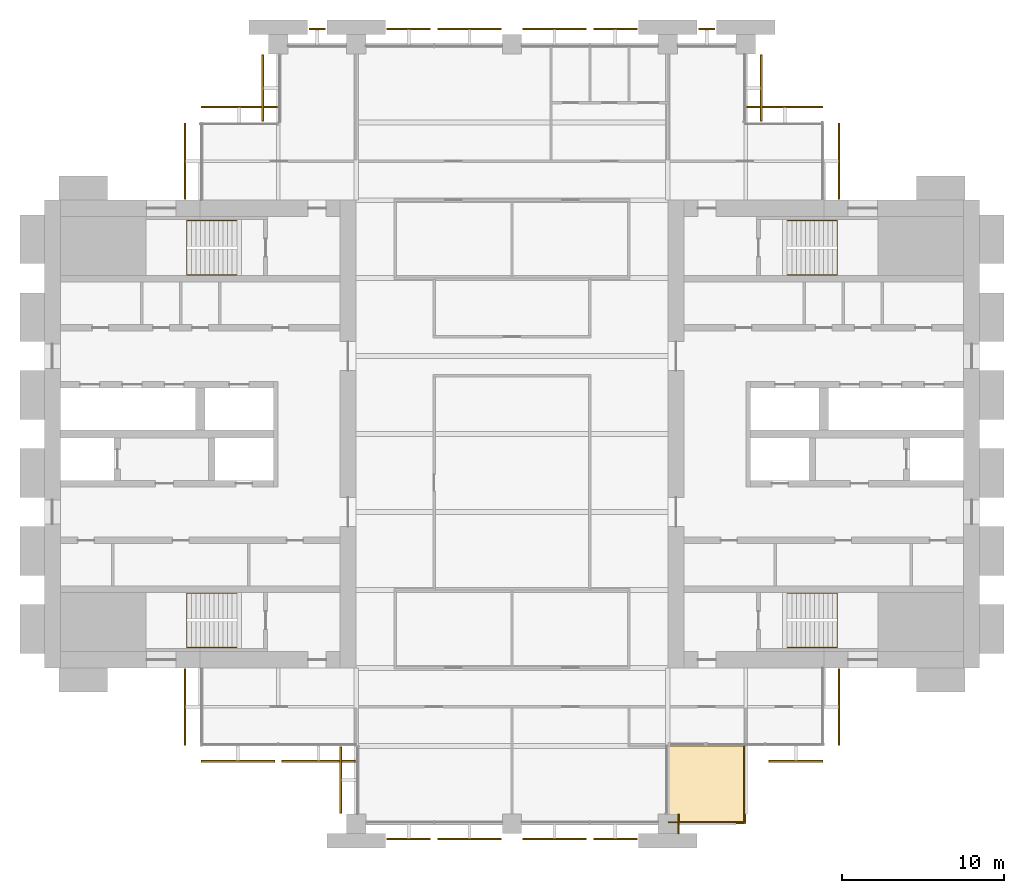
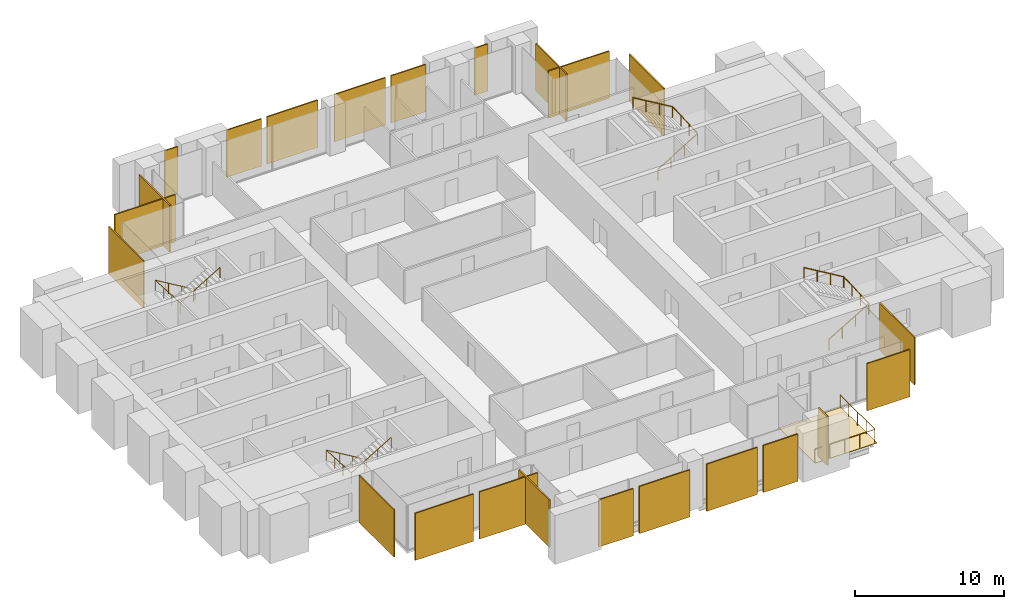
# One storey, part 13 of 13: 24 coverings, 5 railings.
"""IFC4 building model written with IfcOpenShell, lengths in metres."""

from ifc_helpers import new_model, si_unit, direction, frame, origin, origin_2d, place, context, subcontext, project, spatial, polyline, rectangle, circle, outline, extrude, material, layer, layer_set, type_object, element, save


model = new_model("IFC4")

# Units and contexts
model_context = context("Model", 3, precision=1e-05, world=origin(), true_north=direction((0.0, 1.0)))
body_context = subcontext(model_context, "Body", "Model", "MODEL_VIEW")
ifc_project = project(units=[si_unit("LENGTHUNIT", "METRE"), si_unit("AREAUNIT", "SQUARE_METRE"), si_unit("VOLUMEUNIT", "CUBIC_METRE"), si_unit("PLANEANGLEUNIT", "RADIAN"), si_unit("MASSUNIT", "GRAM", prefix="KILO")], contexts=[model_context])

# Site, building, storey
site_placement = place(None, origin())
site = spatial("IfcSite", under=ifc_project, at=site_placement, CompositionType="ELEMENT")
building_placement = place(site_placement, origin())
building = spatial("IfcBuilding", under=site, at=building_placement, Name="Baori Bourse Tower", CompositionType="ELEMENT")
storey_placement = place(building_placement, frame((0.0, 0.0, 172.10009765625)))
storey = spatial("IfcBuildingStorey", under=building, at=storey_placement, Name="L38", CompositionType="ELEMENT", Elevation=172.10009765625)

# Railings
ifc_material_1 = material(Name="Powder-coated steel balustrade", Category="steel")
railing_type_1 = type_object("IfcRailingType", Name="Core stair handrail", PredefinedType="HANDRAIL", material=ifc_material_1)
railing_1_placement = place(storey_placement, frame((11.85009765625, 14.199951171875, 0.16650390625)))
element("IfcRailing", 1, at=railing_1_placement, inside=storey, type_object=railing_type_1, Name="L38 ST1 stair handrail 1", PredefinedType="HANDRAIL", context=body_context, shape_type="SweptSolid", body=[
    extrude(circle(Radius=0.02392578125, at=origin_2d()), frame((0.0, 0.0, 0.8759765625), z_axis=(-0.85927862911, 0.0, 0.511507807912), x_axis=(0.0, -1.0, 0.0)), (0.0, 0.0, 1.0), 3.58447265625),
    extrude(circle(Radius=0.02392578125, at=origin_2d()), frame((-3.080078125, 0.0, 2.70947265625), z_axis=(0.0, -0.998766999029, 0.049643545903), x_axis=(1.0, 0.0, 0.0)), (0.0, 0.0, 1.0), 3.35400390625),
    extrude(circle(Radius=0.02392578125, at=origin_2d()), frame((-3.080078125, -3.349853515625, 2.8759765625), z_axis=(0.85927862911, 0.0, 0.511507807912), x_axis=(0.0, 1.0, 0.0)), (0.0, 0.0, 1.0), 3.58447265625),
    extrude(circle(Radius=0.02099609375, at=origin_2d()), origin(), (0.0, 0.0, 1.0), 0.851806640625),
    extrude(circle(Radius=0.02099609375, at=origin_2d()), frame((-1.026611328125, 0.0, 0.611083984375)), (0.0, 0.0, 1.0), 0.851806640625),
    extrude(circle(Radius=0.02099609375, at=origin_2d()), frame((-2.053466796875, 0.0, 1.222412109375)), (0.0, 0.0, 1.0), 0.851806640625),
    extrude(circle(Radius=0.02099609375, at=origin_2d()), frame((-3.080078125, 0.0, 1.83349609375)), (0.0, 0.0, 1.0), 0.851806640625),
    extrude(circle(Radius=0.02099609375, at=origin_2d()), frame((-3.080078125, -1.11669921875, 1.888916015625)), (0.0, 0.0, 1.0), 0.851806640625),
    extrude(circle(Radius=0.02099609375, at=origin_2d()), frame((-3.080078125, -2.233154296875, 1.944580078125)), (0.0, 0.0, 1.0), 0.851806640625),
    extrude(circle(Radius=0.02099609375, at=origin_2d()), frame((-3.080078125, -3.349853515625, 2.0)), (0.0, 0.0, 1.0), 0.851806640625),
    extrude(circle(Radius=0.02099609375, at=origin_2d()), frame((-2.053466796875, -3.349853515625, 2.611083984375)), (0.0, 0.0, 1.0), 0.851806640625),
    extrude(circle(Radius=0.02099609375, at=origin_2d()), frame((-1.026611328125, -3.349853515625, 3.222412109375)), (0.0, 0.0, 1.0), 0.851806640625),
    extrude(circle(Radius=0.02099609375, at=origin_2d()), frame((0.0, -3.349853515625, 3.83349609375)), (0.0, 0.0, 1.0), 0.851806640625),
])
railing_2_placement = place(storey_placement, frame((11.85009765625, 37.14990234375, 0.16650390625)))
element("IfcRailing", 2, at=railing_2_placement, inside=storey, type_object=railing_type_1, Name="L38 ST2 stair handrail 1", PredefinedType="HANDRAIL", context=body_context, shape_type="SweptSolid", body=[
    extrude(circle(Radius=0.02392578125, at=origin_2d()), frame((0.0, 0.0, 0.8759765625), z_axis=(-0.85927862911, 0.0, 0.511507807912), x_axis=(0.0, -1.0, 0.0)), (0.0, 0.0, 1.0), 3.58447265625),
    extrude(circle(Radius=0.02392578125, at=origin_2d()), frame((-3.080078125, 0.0, 2.70947265625), z_axis=(0.0, -0.998766999029, 0.049643545903), x_axis=(1.0, 0.0, 0.0)), (0.0, 0.0, 1.0), 3.35400390625),
    extrude(circle(Radius=0.02392578125, at=origin_2d()), frame((-3.080078125, -3.349853515625, 2.8759765625), z_axis=(0.85927862911, 0.0, 0.511507807912), x_axis=(0.0, 1.0, 0.0)), (0.0, 0.0, 1.0), 3.58447265625),
    extrude(circle(Radius=0.02099609375, at=origin_2d()), origin(), (0.0, 0.0, 1.0), 0.851806640625),
    extrude(circle(Radius=0.02099609375, at=origin_2d()), frame((-1.026611328125, 0.0, 0.611083984375)), (0.0, 0.0, 1.0), 0.851806640625),
    extrude(circle(Radius=0.02099609375, at=origin_2d()), frame((-2.053466796875, 0.0, 1.222412109375)), (0.0, 0.0, 1.0), 0.851806640625),
    extrude(circle(Radius=0.02099609375, at=origin_2d()), frame((-3.080078125, 0.0, 1.83349609375)), (0.0, 0.0, 1.0), 0.851806640625),
    extrude(circle(Radius=0.02099609375, at=origin_2d()), frame((-3.080078125, -1.11669921875, 1.888916015625)), (0.0, 0.0, 1.0), 0.851806640625),
    extrude(circle(Radius=0.02099609375, at=origin_2d()), frame((-3.080078125, -2.233154296875, 1.944580078125)), (0.0, 0.0, 1.0), 0.851806640625),
    extrude(circle(Radius=0.02099609375, at=origin_2d()), frame((-3.080078125, -3.349853515625, 2.0)), (0.0, 0.0, 1.0), 0.851806640625),
    extrude(circle(Radius=0.02099609375, at=origin_2d()), frame((-2.053466796875, -3.349853515625, 2.611083984375)), (0.0, 0.0, 1.0), 0.851806640625),
    extrude(circle(Radius=0.02099609375, at=origin_2d()), frame((-1.026611328125, -3.349853515625, 3.222412109375)), (0.0, 0.0, 1.0), 0.851806640625),
    extrude(circle(Radius=0.02099609375, at=origin_2d()), frame((0.0, -3.349853515625, 3.83349609375)), (0.0, 0.0, 1.0), 0.851806640625),
])
railing_3_placement = place(storey_placement, frame((45.75, 10.85009765625, 0.16650390625)))
element("IfcRailing", 3, at=railing_3_placement, inside=storey, type_object=railing_type_1, Name="L38 ST3 stair handrail 1", PredefinedType="HANDRAIL", context=body_context, shape_type="SweptSolid", body=[
    extrude(circle(Radius=0.02392578125, at=origin_2d()), frame((0.0, 0.0, 0.8759765625), z_axis=(0.85927862911, 0.0, 0.511507807912), x_axis=(0.0, 1.0, 0.0)), (0.0, 0.0, 1.0), 3.58447265625),
    extrude(circle(Radius=0.02392578125, at=origin_2d()), frame((3.080078125, 0.0, 2.70947265625), z_axis=(0.0, 0.998766999029, 0.049643545903), x_axis=(-1.0, 0.0, 0.0)), (0.0, 0.0, 1.0), 3.35400390625),
    extrude(circle(Radius=0.02392578125, at=origin_2d()), frame((3.080078125, 3.349853515625, 2.8759765625), z_axis=(-0.85927862911, 0.0, 0.511507807912), x_axis=(0.0, -1.0, 0.0)), (0.0, 0.0, 1.0), 3.58447265625),
    extrude(circle(Radius=0.02099609375, at=origin_2d()), origin(), (0.0, 0.0, 1.0), 0.851806640625),
    extrude(circle(Radius=0.02099609375, at=origin_2d()), frame((1.026611328125, 0.0, 0.611083984375)), (0.0, 0.0, 1.0), 0.851806640625),
    extrude(circle(Radius=0.02099609375, at=origin_2d()), frame((2.053466796875, 0.0, 1.222412109375)), (0.0, 0.0, 1.0), 0.851806640625),
    extrude(circle(Radius=0.02099609375, at=origin_2d()), frame((3.080078125, 0.0, 1.83349609375)), (0.0, 0.0, 1.0), 0.851806640625),
    extrude(circle(Radius=0.02099609375, at=origin_2d()), frame((3.080078125, 1.11669921875, 1.888916015625)), (0.0, 0.0, 1.0), 0.851806640625),
    extrude(circle(Radius=0.02099609375, at=origin_2d()), frame((3.080078125, 2.233154296875, 1.944580078125)), (0.0, 0.0, 1.0), 0.851806640625),
    extrude(circle(Radius=0.02099609375, at=origin_2d()), frame((3.080078125, 3.349853515625, 2.0)), (0.0, 0.0, 1.0), 0.851806640625),
    extrude(circle(Radius=0.02099609375, at=origin_2d()), frame((2.053466796875, 3.349853515625, 2.611083984375)), (0.0, 0.0, 1.0), 0.851806640625),
    extrude(circle(Radius=0.02099609375, at=origin_2d()), frame((1.026611328125, 3.349853515625, 3.222412109375)), (0.0, 0.0, 1.0), 0.851806640625),
    extrude(circle(Radius=0.02099609375, at=origin_2d()), frame((0.0, 3.349853515625, 3.83349609375)), (0.0, 0.0, 1.0), 0.851806640625),
])
railing_4_placement = place(storey_placement, frame((45.75, 33.800048828125, 0.16650390625)))
element("IfcRailing", 4, at=railing_4_placement, inside=storey, type_object=railing_type_1, Name="L38 ST4 stair handrail 1", PredefinedType="HANDRAIL", context=body_context, shape_type="SweptSolid", body=[
    extrude(circle(Radius=0.02392578125, at=origin_2d()), frame((0.0, 0.0, 0.8759765625), z_axis=(0.85927862911, 0.0, 0.511507807912), x_axis=(0.0, 1.0, 0.0)), (0.0, 0.0, 1.0), 3.58447265625),
    extrude(circle(Radius=0.02392578125, at=origin_2d()), frame((3.080078125, 0.0, 2.70947265625), z_axis=(0.0, 0.998766999029, 0.049643545903), x_axis=(-1.0, 0.0, 0.0)), (0.0, 0.0, 1.0), 3.35400390625),
    extrude(circle(Radius=0.02392578125, at=origin_2d()), frame((3.080078125, 3.349853515625, 2.8759765625), z_axis=(-0.85927862911, 0.0, 0.511507807912), x_axis=(0.0, -1.0, 0.0)), (0.0, 0.0, 1.0), 3.58447265625),
    extrude(circle(Radius=0.02099609375, at=origin_2d()), origin(), (0.0, 0.0, 1.0), 0.851806640625),
    extrude(circle(Radius=0.02099609375, at=origin_2d()), frame((1.026611328125, 0.0, 0.611083984375)), (0.0, 0.0, 1.0), 0.851806640625),
    extrude(circle(Radius=0.02099609375, at=origin_2d()), frame((2.053466796875, 0.0, 1.222412109375)), (0.0, 0.0, 1.0), 0.851806640625),
    extrude(circle(Radius=0.02099609375, at=origin_2d()), frame((3.080078125, 0.0, 1.83349609375)), (0.0, 0.0, 1.0), 0.851806640625),
    extrude(circle(Radius=0.02099609375, at=origin_2d()), frame((3.080078125, 1.11669921875, 1.888916015625)), (0.0, 0.0, 1.0), 0.851806640625),
    extrude(circle(Radius=0.02099609375, at=origin_2d()), frame((3.080078125, 2.233154296875, 1.944580078125)), (0.0, 0.0, 1.0), 0.851806640625),
    extrude(circle(Radius=0.02099609375, at=origin_2d()), frame((3.080078125, 3.349853515625, 2.0)), (0.0, 0.0, 1.0), 0.851806640625),
    extrude(circle(Radius=0.02099609375, at=origin_2d()), frame((2.053466796875, 3.349853515625, 2.611083984375)), (0.0, 0.0, 1.0), 0.851806640625),
    extrude(circle(Radius=0.02099609375, at=origin_2d()), frame((1.026611328125, 3.349853515625, 3.222412109375)), (0.0, 0.0, 1.0), 0.851806640625),
    extrude(circle(Radius=0.02099609375, at=origin_2d()), frame((0.0, 3.349853515625, 3.83349609375)), (0.0, 0.0, 1.0), 0.851806640625),
])
ifc_material_2 = material(Name="Stainless steel", Category="steel")
railing_type_2 = type_object("IfcRailingType", Name="GD1 Guard", PredefinedType="GUARDRAIL", material=ifc_material_2)
railing_5_placement = place(storey_placement, frame((43.10009765625, 4.77001953125, 0.039794921875)))
element("IfcRailing", 5, at=railing_5_placement, inside=storey, type_object=railing_type_2, Name="Guard terrace SE L38 1", PredefinedType="GUARDRAIL", context=body_context, shape_type="SweptSolid", body=[
    extrude(circle(Radius=0.02392578125, at=origin_2d()), frame((0.0, 0.0, 1.076171875), z_axis=(0.0, -1.0, 0.0), x_axis=(1.0, 0.0, 0.0)), (0.0, 0.0, 1.0), 4.669921875),
    extrude(circle(Radius=0.02392578125, at=origin_2d()), frame((0.0, -4.669921875, 1.076171875), z_axis=(-1.0, 0.0, 0.0), x_axis=(0.0, -1.0, 0.0)), (0.0, 0.0, 1.0), 4.670166015625),
    extrude(circle(Radius=0.02099609375, at=origin_2d()), origin(), (0.0, 0.0, 1.0), 1.052001953125),
    extrude(circle(Radius=0.02099609375, at=origin_2d()), frame((0.0, -1.16748046875, 0.0)), (0.0, 0.0, 1.0), 1.052001953125),
    extrude(circle(Radius=0.02099609375, at=origin_2d()), frame((0.0, -2.3349609375, 0.0)), (0.0, 0.0, 1.0), 1.052001953125),
    extrude(circle(Radius=0.02099609375, at=origin_2d()), frame((0.0, -3.50244140625, 0.0)), (0.0, 0.0, 1.0), 1.052001953125),
    extrude(circle(Radius=0.02099609375, at=origin_2d()), frame((0.0, -4.669921875, 0.0)), (0.0, 0.0, 1.0), 1.052001953125),
    extrude(circle(Radius=0.02099609375, at=origin_2d()), frame((-1.16748046875, -4.669921875, 0.0)), (0.0, 0.0, 1.0), 1.052001953125),
    extrude(circle(Radius=0.02099609375, at=origin_2d()), frame((-2.3349609375, -4.669921875, 0.0)), (0.0, 0.0, 1.0), 1.052001953125),
    extrude(circle(Radius=0.02099609375, at=origin_2d()), frame((-3.502685546875, -4.669921875, 0.0)), (0.0, 0.0, 1.0), 1.052001953125),
    extrude(circle(Radius=0.02099609375, at=origin_2d()), frame((-4.670166015625, -4.669921875, 0.0)), (0.0, 0.0, 1.0), 1.052001953125),
])

# Coverings
ifc_material_3 = material(Name="Pale anodised aluminium", Category="aluminium")
ifc_layer_1 = layer(ifc_material_3, 0.10009765625)
ifc_layer_set_1 = layer_set([ifc_layer_1], Name="OS3 Outer skin screen panel")
covering_type_1 = type_object("IfcCoveringType", Name="OS3 Outer skin screen panel", PredefinedType="CLADDING", material=ifc_layer_set_1)
covering_1_placement = place(storey_placement, frame((0.0, 0.0, -0.16015625)))
element("IfcCovering", 6, at=covering_1_placement, inside=storey, type_object=covering_type_1, Name="Outer skin screen L38 1", PredefinedType="CLADDING", context=body_context, shape_type="SweptSolid", body=[
    extrude(outline(polyline([(48.89990234375, 43.14990234375), (48.89990234375, 38.449951171875), (49.0, 38.449951171875), (49.0, 43.14990234375), (48.89990234375, 43.14990234375)])), origin(), (0.0, 0.0, 1.0), 3.860107421875),
])
covering_2_placement = place(storey_placement, frame((0.0, 0.0, -0.16015625)))
element("IfcCovering", 7, at=covering_2_placement, inside=storey, type_object=covering_type_1, Name="Outer skin screen L38 2", PredefinedType="CLADDING", context=body_context, shape_type="SweptSolid", body=[
    extrude(outline(polyline([(43.25, 44.10009765625), (47.949951171875, 44.10009765625), (47.949951171875, 44.199951171875), (43.25, 44.199951171875), (43.25, 44.10009765625)])), origin(), (0.0, 0.0, 1.0), 3.860107421875),
])
covering_3_placement = place(storey_placement, frame((0.0, 0.0, -0.16015625)))
element("IfcCovering", 8, at=covering_3_placement, inside=storey, type_object=covering_type_1, Name="Outer skin screen L38 3", PredefinedType="CLADDING", context=body_context, shape_type="SweptSolid", body=[
    extrude(outline(polyline([(44.10009765625, 47.35009765625), (44.10009765625, 43.25), (44.199951171875, 43.25), (44.199951171875, 47.35009765625), (44.10009765625, 47.35009765625)])), origin(), (0.0, 0.0, 1.0), 3.860107421875),
])
covering_4_placement = place(storey_placement, frame((0.0, 0.0, -0.16015625)))
element("IfcCovering", 9, at=covering_4_placement, inside=storey, type_object=covering_type_1, Name="Outer skin screen L38 4", PredefinedType="CLADDING", context=body_context, shape_type="SweptSolid", body=[
    extrude(outline(polyline([(40.300048828125, 48.89990234375), (41.300048828125, 48.89990234375), (41.300048828125, 49.0), (40.300048828125, 49.0), (40.300048828125, 48.89990234375)])), origin(), (0.0, 0.0, 1.0), 3.860107421875),
])
covering_5_placement = place(storey_placement, frame((0.0, 0.0, -0.16015625)))
element("IfcCovering", 10, at=covering_5_placement, inside=storey, type_object=covering_type_1, Name="Outer skin screen L38 5", PredefinedType="CLADDING", context=body_context, shape_type="SweptSolid", body=[
    extrude(outline(polyline([(33.824951171875, 48.89990234375), (36.5, 48.89990234375), (36.5, 49.0), (33.824951171875, 49.0), (33.824951171875, 48.89990234375)])), origin(), (0.0, 0.0, 1.0), 3.860107421875),
])
covering_6_placement = place(storey_placement, frame((0.0, 0.0, -0.16015625)))
element("IfcCovering", 11, at=covering_6_placement, inside=storey, type_object=covering_type_1, Name="Outer skin screen L38 6", PredefinedType="CLADDING", context=body_context, shape_type="SweptSolid", body=[
    extrude(outline(polyline([(29.449951171875, 48.89990234375), (33.375, 48.89990234375), (33.375, 49.0), (29.449951171875, 49.0), (29.449951171875, 48.89990234375)])), origin(), (0.0, 0.0, 1.0), 3.860107421875),
])
covering_7_placement = place(storey_placement, frame((0.0, 0.0, -0.16015625)))
element("IfcCovering", 12, at=covering_7_placement, inside=storey, type_object=covering_type_1, Name="Outer skin screen L38 7", PredefinedType="CLADDING", context=body_context, shape_type="SweptSolid", body=[
    extrude(outline(polyline([(24.22509765625, 48.89990234375), (28.14990234375, 48.89990234375), (28.14990234375, 49.0), (24.22509765625, 49.0), (24.22509765625, 48.89990234375)])), origin(), (0.0, 0.0, 1.0), 3.860107421875),
])
covering_8_placement = place(storey_placement, frame((0.0, 0.0, -0.16015625)))
element("IfcCovering", 13, at=covering_8_placement, inside=storey, type_object=covering_type_1, Name="Outer skin screen L38 8", PredefinedType="CLADDING", context=body_context, shape_type="SweptSolid", body=[
    extrude(outline(polyline([(21.10009765625, 48.89990234375), (23.77490234375, 48.89990234375), (23.77490234375, 49.0), (21.10009765625, 49.0), (21.10009765625, 48.89990234375)])), origin(), (0.0, 0.0, 1.0), 3.860107421875),
])
covering_9_placement = place(storey_placement, frame((0.0, 0.0, -0.16015625)))
element("IfcCovering", 14, at=covering_9_placement, inside=storey, type_object=covering_type_1, Name="Outer skin screen L38 9", PredefinedType="CLADDING", context=body_context, shape_type="SweptSolid", body=[
    extrude(outline(polyline([(16.300048828125, 48.89990234375), (17.300048828125, 48.89990234375), (17.300048828125, 49.0), (16.300048828125, 49.0), (16.300048828125, 48.89990234375)])), origin(), (0.0, 0.0, 1.0), 3.860107421875),
])
covering_10_placement = place(storey_placement, frame((0.0, 0.0, -0.16015625)))
element("IfcCovering", 15, at=covering_10_placement, inside=storey, type_object=covering_type_1, Name="Outer skin screen L38 10", PredefinedType="CLADDING", context=body_context, shape_type="SweptSolid", body=[
    extrude(outline(polyline([(13.5, 43.25), (13.5, 47.35009765625), (13.39990234375, 47.35009765625), (13.39990234375, 43.25), (13.5, 43.25)])), origin(), (0.0, 0.0, 1.0), 3.860107421875),
])
covering_11_placement = place(storey_placement, frame((0.0, 0.0, -0.16015625)))
element("IfcCovering", 16, at=covering_11_placement, inside=storey, type_object=covering_type_1, Name="Outer skin screen L38 11", PredefinedType="CLADDING", context=body_context, shape_type="SweptSolid", body=[
    extrude(outline(polyline([(9.64990234375, 44.10009765625), (14.35009765625, 44.10009765625), (14.35009765625, 44.199951171875), (9.64990234375, 44.199951171875), (9.64990234375, 44.10009765625)])), origin(), (0.0, 0.0, 1.0), 3.860107421875),
])
covering_12_placement = place(storey_placement, frame((0.0, 0.0, -0.16015625)))
element("IfcCovering", 17, at=covering_12_placement, inside=storey, type_object=covering_type_1, Name="Outer skin screen L38 12", PredefinedType="CLADDING", context=body_context, shape_type="SweptSolid", body=[
    extrude(outline(polyline([(8.699951171875, 38.449951171875), (8.699951171875, 43.14990234375), (8.60009765625, 43.14990234375), (8.60009765625, 38.449951171875), (8.699951171875, 38.449951171875)])), origin(), (0.0, 0.0, 1.0), 3.860107421875),
])
covering_13_placement = place(storey_placement, frame((0.0, 0.0, -0.16015625)))
element("IfcCovering", 18, at=covering_13_placement, inside=storey, type_object=covering_type_1, Name="Outer skin screen L38 13", PredefinedType="CLADDING", context=body_context, shape_type="SweptSolid", body=[
    extrude(outline(polyline([(8.699951171875, 4.85009765625), (8.699951171875, 9.550048828125), (8.60009765625, 9.550048828125), (8.60009765625, 4.85009765625), (8.699951171875, 4.85009765625)])), origin(), (0.0, 0.0, 1.0), 3.860107421875),
])
covering_14_placement = place(storey_placement, frame((0.0, 0.0, -0.16015625)))
element("IfcCovering", 19, at=covering_14_placement, inside=storey, type_object=covering_type_1, Name="Outer skin screen L38 14", PredefinedType="CLADDING", context=body_context, shape_type="SweptSolid", body=[
    extrude(outline(polyline([(14.175048828125, 3.89990234375), (9.64990234375, 3.89990234375), (9.64990234375, 3.800048828125), (14.175048828125, 3.800048828125), (14.175048828125, 3.89990234375)])), origin(), (0.0, 0.0, 1.0), 3.860107421875),
])
covering_15_placement = place(storey_placement, frame((0.0, 0.0, -0.16015625)))
element("IfcCovering", 20, at=covering_15_placement, inside=storey, type_object=covering_type_1, Name="Outer skin screen L38 15", PredefinedType="CLADDING", context=body_context, shape_type="SweptSolid", body=[
    extrude(outline(polyline([(19.14990234375, 3.89990234375), (14.625, 3.89990234375), (14.625, 3.800048828125), (19.14990234375, 3.800048828125), (19.14990234375, 3.89990234375)])), origin(), (0.0, 0.0, 1.0), 3.860107421875),
])
covering_16_placement = place(storey_placement, frame((0.0, 0.0, -0.16015625)))
element("IfcCovering", 21, at=covering_16_placement, inside=storey, type_object=covering_type_1, Name="Outer skin screen L38 16", PredefinedType="CLADDING", context=body_context, shape_type="SweptSolid", body=[
    extrude(outline(polyline([(18.300048828125, 0.64990234375), (18.300048828125, 4.75), (18.199951171875, 4.75), (18.199951171875, 0.64990234375), (18.300048828125, 0.64990234375)])), origin(), (0.0, 0.0, 1.0), 3.860107421875),
])
covering_17_placement = place(storey_placement, frame((0.0, 0.0, -0.16015625)))
element("IfcCovering", 22, at=covering_17_placement, inside=storey, type_object=covering_type_1, Name="Outer skin screen L38 17", PredefinedType="CLADDING", context=body_context, shape_type="SweptSolid", body=[
    extrude(outline(polyline([(23.77490234375, -0.89990234375), (21.10009765625, -0.89990234375), (21.10009765625, -1.0), (23.77490234375, -1.0), (23.77490234375, -0.89990234375)])), origin(), (0.0, 0.0, 1.0), 3.860107421875),
])
covering_18_placement = place(storey_placement, frame((0.0, 0.0, -0.16015625)))
element("IfcCovering", 23, at=covering_18_placement, inside=storey, type_object=covering_type_1, Name="Outer skin screen L38 18", PredefinedType="CLADDING", context=body_context, shape_type="SweptSolid", body=[
    extrude(outline(polyline([(28.14990234375, -0.89990234375), (24.22509765625, -0.89990234375), (24.22509765625, -1.0), (28.14990234375, -1.0), (28.14990234375, -0.89990234375)])), origin(), (0.0, 0.0, 1.0), 3.860107421875),
])
covering_19_placement = place(storey_placement, frame((0.0, 0.0, -0.16015625)))
element("IfcCovering", 24, at=covering_19_placement, inside=storey, type_object=covering_type_1, Name="Outer skin screen L38 19", PredefinedType="CLADDING", context=body_context, shape_type="SweptSolid", body=[
    extrude(outline(polyline([(33.375, -0.89990234375), (29.449951171875, -0.89990234375), (29.449951171875, -1.0), (33.375, -1.0), (33.375, -0.89990234375)])), origin(), (0.0, 0.0, 1.0), 3.860107421875),
])
covering_20_placement = place(storey_placement, frame((0.0, 0.0, -0.16015625)))
element("IfcCovering", 25, at=covering_20_placement, inside=storey, type_object=covering_type_1, Name="Outer skin screen L38 20", PredefinedType="CLADDING", context=body_context, shape_type="SweptSolid", body=[
    extrude(outline(polyline([(36.5, -0.89990234375), (33.824951171875, -0.89990234375), (33.824951171875, -1.0), (36.5, -1.0), (36.5, -0.89990234375)])), origin(), (0.0, 0.0, 1.0), 3.860107421875),
])
covering_21_placement = place(storey_placement, frame((0.0, 0.0, -0.16015625)))
element("IfcCovering", 26, at=covering_21_placement, inside=storey, type_object=covering_type_1, Name="Outer skin screen L38 21", PredefinedType="CLADDING", context=body_context, shape_type="SweptSolid", body=[
    extrude(outline(polyline([(47.949951171875, 3.89990234375), (44.625, 3.89990234375), (44.625, 3.800048828125), (47.949951171875, 3.800048828125), (47.949951171875, 3.89990234375)])), origin(), (0.0, 0.0, 1.0), 3.860107421875),
])
covering_22_placement = place(storey_placement, frame((0.0, 0.0, -0.16015625)))
element("IfcCovering", 27, at=covering_22_placement, inside=storey, type_object=covering_type_1, Name="Outer skin screen L38 22", PredefinedType="CLADDING", context=body_context, shape_type="SweptSolid", body=[
    extrude(outline(polyline([(48.89990234375, 9.550048828125), (48.89990234375, 4.85009765625), (49.0, 4.85009765625), (49.0, 9.550048828125), (48.89990234375, 9.550048828125)])), origin(), (0.0, 0.0, 1.0), 3.860107421875),
])
ifc_material_4 = material(Name="Face brick", Category="masonry")
ifc_layer_2 = layer(ifc_material_4, 0.110107421875)
ifc_layer_set_2 = layer_set([ifc_layer_2], Name="PC1 Brick pier facing")
covering_type_2 = type_object("IfcCoveringType", Name="PC1 Brick pier facing", PredefinedType="CLADDING", material=ifc_layer_set_2)
covering_23_placement = place(storey_placement, frame((39.054931640625, 0.0, 0.0), z_axis=(0.0, 0.0, 1.0), x_axis=(1.0, 0.0, 0.0)))
element("IfcCovering", 28, at=covering_23_placement, inside=storey, type_object=covering_type_2, Name="Brick pier facing L38 1", PredefinedType="CLADDING", context=body_context, shape_type="SweptSolid", body=[
    extrude(rectangle(XDim=0.110107421875, YDim=1.199951171875, at=origin_2d()), origin(), (0.0, 0.0, 1.0), 4.0),
])
ifc_material_5 = material(Name="Granite paving", Category="masonry")
ifc_layer_3 = layer(ifc_material_5, 0.0400390625)
ifc_layer_set_3 = layer_set([ifc_layer_3], Name="PV1 Deck paving")
covering_type_3 = type_object("IfcCoveringType", Name="PV1 Deck paving", PredefinedType="FLOORING", material=ifc_layer_set_3)
covering_24_placement = place(storey_placement, origin())
element("IfcCovering", 29, at=covering_24_placement, inside=storey, type_object=covering_type_3, Name="Terrace paving L38 1", PredefinedType="FLOORING", context=body_context, shape_type="SweptSolid", body=[
    extrude(outline(polyline([(38.39990234375, 0.0), (43.199951171875, 0.0), (43.199951171875, 4.800048828125), (38.39990234375, 4.800048828125), (38.39990234375, 0.0)])), origin(), (0.0, 0.0, 1.0), 0.039794921875),
])

save(model, "model.ifc")
